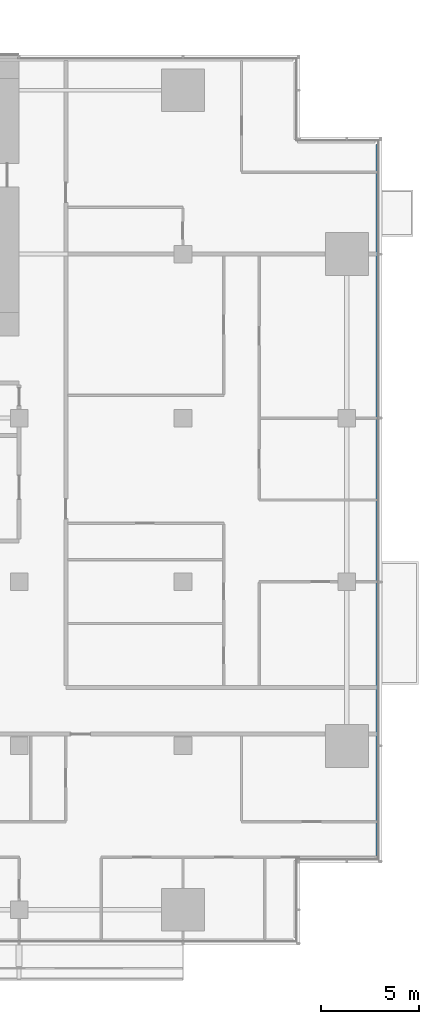
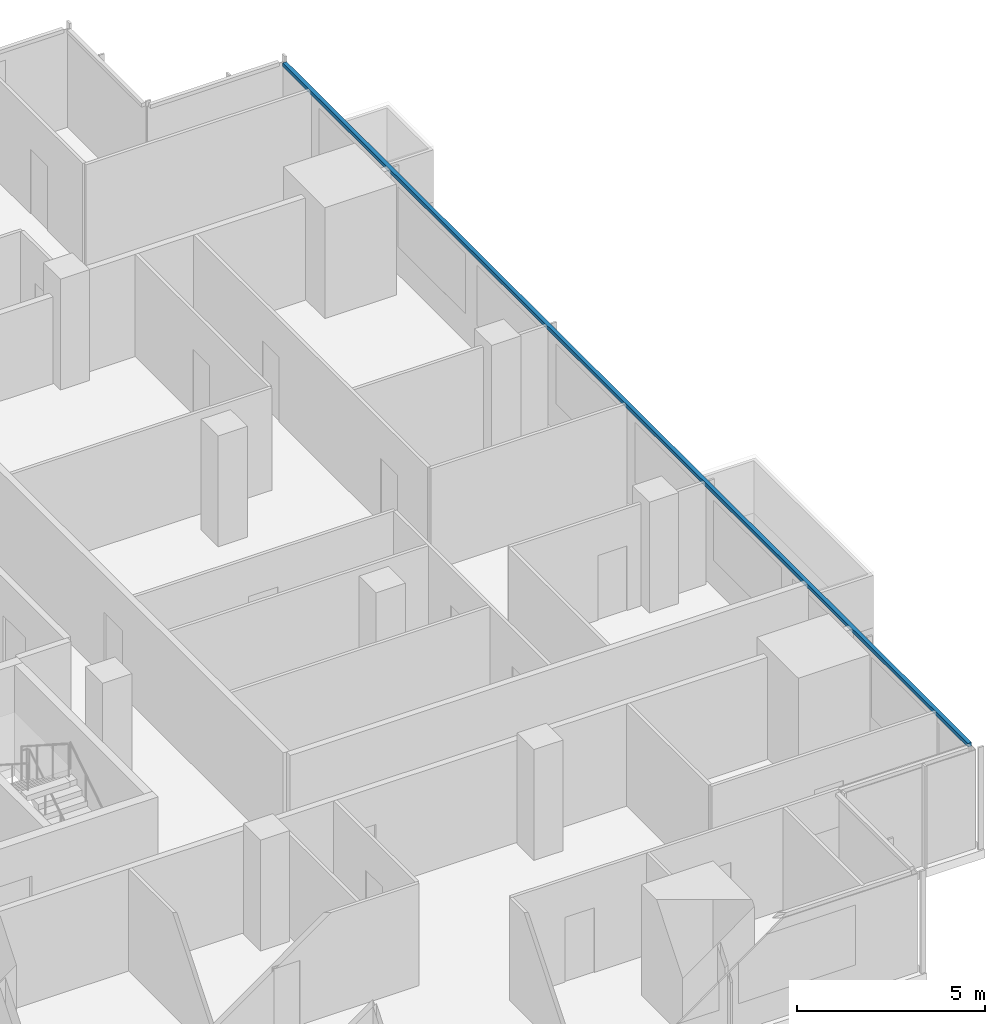
# One storey, part 12 of 27: 1 member, 1 element without a shape of its own.
"""IFC4 building model written with IfcOpenShell, lengths in metres."""

from ifc_helpers import new_model, si_unit, direction, frame, origin, origin_2d, place, context, subcontext, project, spatial, rectangle, extrude, material, material_profile, profile_set, type_object, element, aggregate, save


model = new_model("IFC4")

# Units and contexts
model_context = context("Model", 3, precision=1e-05, world=origin(), true_north=direction((0.0, 1.0)))
body_context = subcontext(model_context, "Body", "Model", "MODEL_VIEW")
ifc_project = project(units=[si_unit("LENGTHUNIT", "METRE"), si_unit("AREAUNIT", "SQUARE_METRE"), si_unit("VOLUMEUNIT", "CUBIC_METRE"), si_unit("PLANEANGLEUNIT", "RADIAN"), si_unit("MASSUNIT", "GRAM", prefix="KILO")], contexts=[model_context])

# Site, building, storey
site_placement = place(None, origin())
site = spatial("IfcSite", under=ifc_project, at=site_placement, CompositionType="ELEMENT")
building_placement = place(site_placement, origin())
building = spatial("IfcBuilding", under=site, at=building_placement, Name="Saffron Gate Tower", CompositionType="ELEMENT")
storey_placement = place(building_placement, frame((0.0, 0.0, 66.0)))
storey = spatial("IfcBuildingStorey", under=building, at=storey_placement, Name="L15", CompositionType="ELEMENT", Elevation=66.0)

# Curtain wall, member
ifc_material = material(Name="Aluminium, bronze anodised", Category="aluminium")
curtain_wall_type = type_object("IfcCurtainWallType", Name="CWS2 curtain wall side facades", PredefinedType="NOTDEFINED", material=ifc_material)
curtain_wall_placement = place(storey_placement, origin())
curtain_wall = element("IfcCurtainWall", 1, at=curtain_wall_placement, inside=storey, type_object=curtain_wall_type, Name="CWS2 run 4", PredefinedType="NOTDEFINED")
ifc_material_profile = material_profile(ifc_material, rectangle(XDim=0.1201171875, YDim=0.1201171875, at=origin_2d()))
ifc_profile_set = profile_set([ifc_material_profile], Name="Aluminium, bronze anodised")
member_type = type_object("IfcMemberType", Name="CWS2 head transom", PredefinedType="USERDEFINED", material=ifc_profile_set)
member_placement = place(storey_placement, frame((126.951904296875, 34.568115234375, 3.260009765625), z_axis=(0.0, 1.0, 0.0), x_axis=(-1.0, 0.0, 0.0)))
member = element("IfcMember", 2, at=member_placement, type_object=member_type, Name="CWS2 head transom", ObjectType="TRANSOM", PredefinedType="USERDEFINED", context=body_context, shape_type="SweptSolid", body=[
    extrude(rectangle(XDim=0.1201171875, YDim=0.1201171875, at=origin_2d()), origin(), (0.0, 0.0, 1.0), 36.4638671875),
])
aggregate(curtain_wall, [member])

save(model, "model.ifc")
